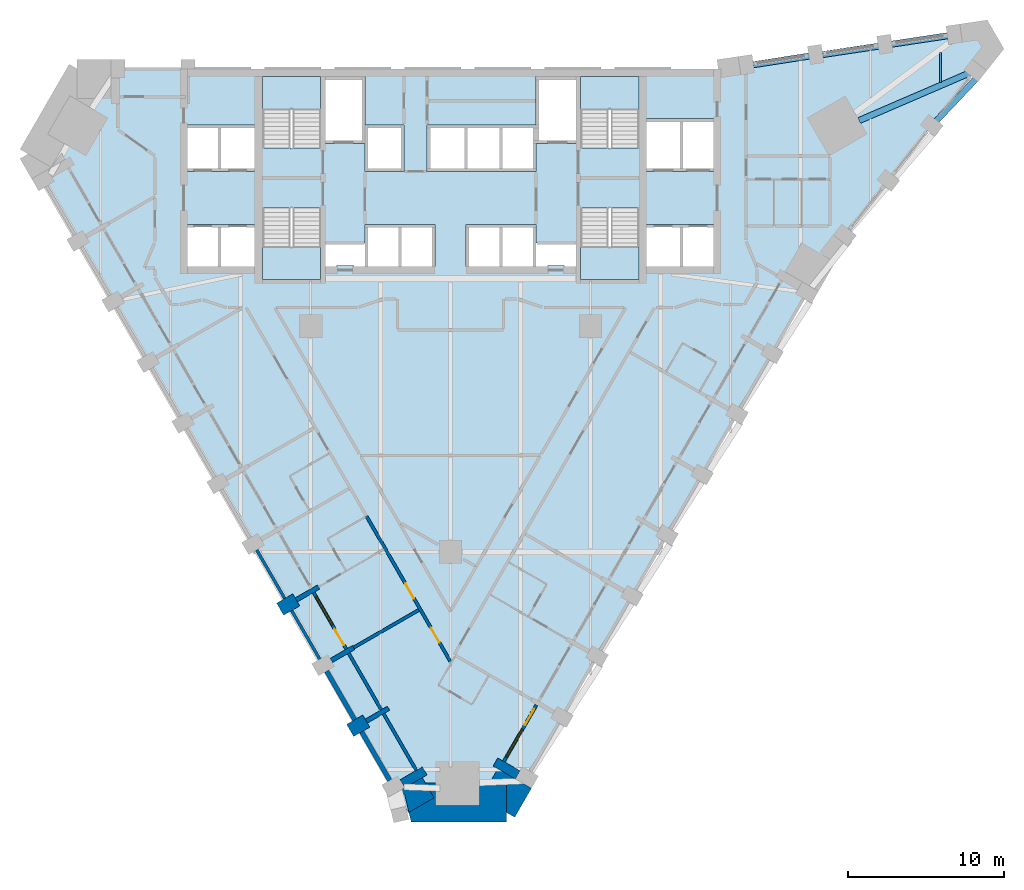
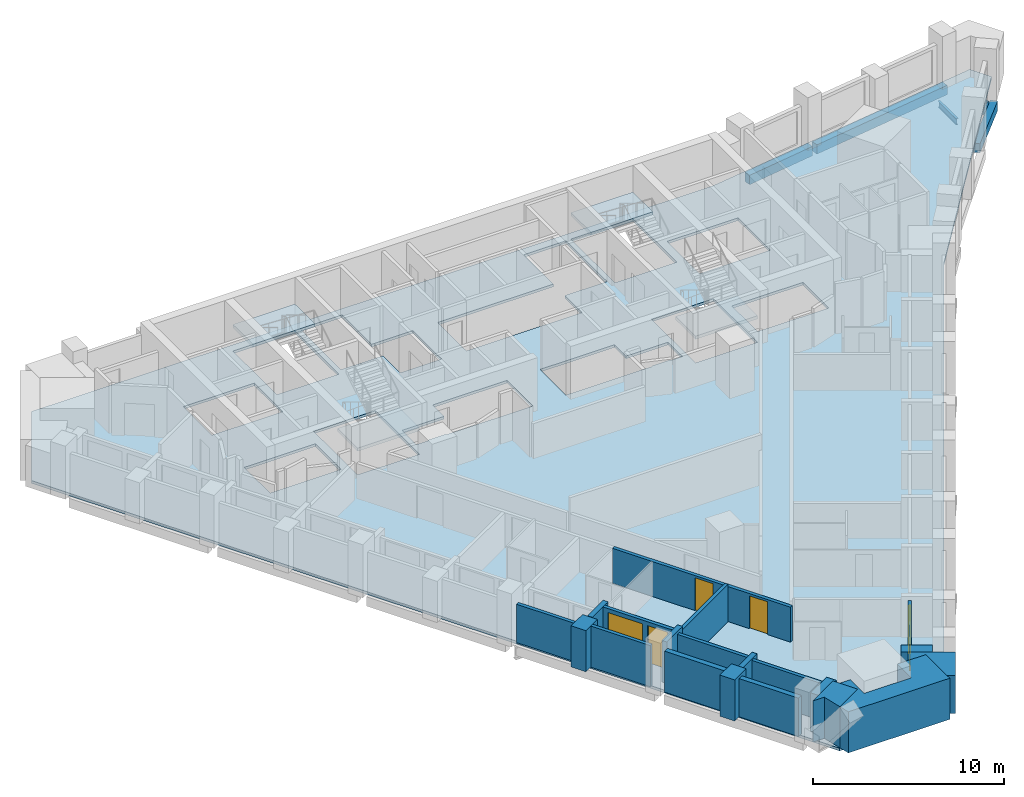
# One storey, part 2 of 11: 20 walls, 5 beams, 5 slabs, 4 doors, 2 windows, 6 openings, 4 elements without a shape of their own.
"""IFC4 building model written with IfcOpenShell, lengths in metres."""

from ifc_helpers import new_model, si_unit, direction, frame, frame_2d, origin, origin_2d, place, context, subcontext, project, spatial, polyline, rectangle, i_section, outline, extrude, material, layer, layer_set, material_profile, profile_set, type_object, element, fill, aggregate, save


model = new_model("IFC4")

# Units and contexts
model_context = context("Model", 3, precision=1e-05, world=origin(), true_north=direction((0.0, 1.0)))
body_context = subcontext(model_context, "Body", "Model", "MODEL_VIEW")
ifc_project = project(units=[si_unit("LENGTHUNIT", "METRE"), si_unit("AREAUNIT", "SQUARE_METRE"), si_unit("VOLUMEUNIT", "CUBIC_METRE"), si_unit("PLANEANGLEUNIT", "RADIAN"), si_unit("MASSUNIT", "GRAM", prefix="KILO")], contexts=[model_context])

# Site, building, storey
site_placement = place(None, origin())
site = spatial("IfcSite", under=ifc_project, at=site_placement, CompositionType="ELEMENT")
building_placement = place(site_placement, origin())
building = spatial("IfcBuilding", under=site, at=building_placement, Name="Calabash Gate Tower", CompositionType="ELEMENT")
storey_placement = place(building_placement, frame((0.0, 0.0, 129.199951171875)))
storey = spatial("IfcBuildingStorey", under=building, at=storey_placement, Name="L30", CompositionType="ELEMENT", Elevation=129.199951171875)

# Beams
ifc_material_1 = material(Name="Concrete C60/75", Category="concrete")
ifc_material_profile_1 = material_profile(ifc_material_1, rectangle(XDim=0.39990234375, YDim=0.60009765625, at=origin_2d()))
ifc_profile_set_1 = profile_set([ifc_material_profile_1], Name="Concrete C60/75")
beam_type_1 = type_object("IfcBeamType", Name="Edge beam RC 400x600 Concrete C60/75", PredefinedType="BEAM", material=ifc_profile_set_1)
beam_1_placement = place(storey_placement, frame((31.241943359375, 15.72412109375, -0.469970703125), z_axis=(0.685941332038, 0.727656848385, 0.0), x_axis=(-0.727656848385, 0.685941332038, 0.0)))
element("IfcBeam", 1, at=beam_1_placement, inside=storey, type_object=beam_type_1, Name="Edge beam L30 12", PredefinedType="BEAM", context=body_context, shape_type="SweptSolid", body=[
    extrude(rectangle(XDim=0.39990234375, YDim=0.60009765625, at=origin_2d()), origin(), (0.0, 0.0, 1.0), 4.026611328125),
])
beam_2_placement = place(storey_placement, frame((33.676025390625, 18.922119140625, -0.469970703125), z_axis=(-0.918385716092, -0.395686335977, 0.0), x_axis=(0.395686335977, -0.918385716092, 0.0)))
element("IfcBeam", 2, at=beam_2_placement, inside=storey, type_object=beam_type_1, Name="Edge beam L30 13", PredefinedType="BEAM", context=body_context, shape_type="SweptSolid", body=[
    extrude(rectangle(XDim=0.39990234375, YDim=0.60009765625, at=origin_2d()), origin(), (0.0, 0.0, 1.0), 8.0673828125),
])
beam_3_placement = place(storey_placement, frame((32.5439453125, 21.27392578125, -0.469970703125), z_axis=(-0.988841625555, -0.148970599683, 0.0), x_axis=(0.148970599683, -0.988841625555, 0.0)))
element("IfcBeam", 3, at=beam_3_placement, inside=storey, type_object=beam_type_1, Name="Edge beam L30 15", PredefinedType="BEAM", context=body_context, shape_type="SweptSolid", body=[
    extrude(rectangle(XDim=0.39990234375, YDim=0.60009765625, at=origin_2d()), origin(), (0.0, 0.0, 1.0), 8.7333984375),
])
beam_4_placement = place(storey_placement, frame((23.638916015625, 19.968017578125, -0.469970703125), z_axis=(-0.988243286104, -0.152889527011, 0.0), x_axis=(0.152889527011, -0.988243286104, 0.0)))
element("IfcBeam", 4, at=beam_4_placement, inside=storey, type_object=beam_type_1, Name="Edge beam L30 16", PredefinedType="BEAM", context=body_context, shape_type="SweptSolid", body=[
    extrude(rectangle(XDim=0.39990234375, YDim=0.60009765625, at=origin_2d()), origin(), (0.0, 0.0, 1.0), 4.231689453125),
])
ifc_material_2 = material(Name="Steel ASTM A992 Gr50", Category="steel")
ifc_material_profile_2 = material_profile(ifc_material_2, i_section(OverallWidth=0.1396484375, OverallDepth=0.398681640625, WebThickness=0.00634765625, FlangeThickness=0.0087890625, FilletRadius=0.01025390625, at=origin_2d()))
ifc_profile_set_2 = profile_set([ifc_material_profile_2], Name="Steel ASTM A992 Gr50")
beam_type_2 = type_object("IfcBeamType", Name="Floor beam W16x26 ASTM A992 Gr50", PredefinedType="BEAM", material=ifc_profile_set_2)
beam_5_placement = place(storey_placement, frame((31.5, 18.179931640625, -0.368896484375), z_axis=(0.0, 1.0, 0.0), x_axis=(-1.0, 0.0, 0.0)))
element("IfcBeam", 5, at=beam_5_placement, inside=storey, type_object=beam_type_2, Name="Floor beam L30 21", PredefinedType="BEAM", context=body_context, shape_type="SweptSolid", body=[
    extrude(i_section(OverallWidth=0.1396484375, OverallDepth=0.398681640625, WebThickness=0.00634765625, FlangeThickness=0.0087890625, FilletRadius=0.01025390625, at=origin_2d()), origin(), (0.0, 0.0, 1.0), 1.9130859375),
])

# Slab
ifc_material_3 = material(Name="Concrete C40/50", Category="concrete")
ifc_layer_1 = layer(ifc_material_3, 0.169921875)
ifc_layer_set_1 = layer_set([ifc_layer_1], Name="Composite floor slab 170 Concrete C40/50")
slab_type_1 = type_object("IfcSlabType", Name="Composite floor slab 170 Concrete C40/50", PredefinedType="FLOOR", material=ifc_layer_set_1)
slab_1_placement = place(storey_placement, frame((0.0, 0.0, -0.169921875)))
element("IfcSlab", 6, at=slab_1_placement, inside=storey, type_object=slab_type_1, Name="Floor slab L30", PredefinedType="FLOOR", context=body_context, shape_type="SweptSolid", body=[
    extrude(outline(polyline([(-27.162353515625, 13.581787109375), (-24.00390625, 19.052490234375), (17.2099609375, 19.052490234375), (34.192138671875, 21.54150390625), (34.856689453125, 20.390625), (24.2099609375, 6.92822265625), (3.60302734375, -28.76416015625), (-2.7138671875, -28.76416015625), (-27.162353515625, 13.581787109375)]), holes=[polyline([(-5.5, 9.052490234375), (-5.5, 7.8525390625), (-8.050048828125, 7.8525390625), (-8.050048828125, 6.3525390625), (-7.324951171875, 6.3525390625), (-7.324951171875, 6.402587890625), (-6.22509765625, 6.402587890625), (-6.22509765625, 6.3525390625), (-5.5, 6.3525390625), (-3.25, 6.3525390625), (-1.0, 6.3525390625), (-1.0, 9.052490234375), (-3.25, 9.052490234375), (-5.5, 9.052490234375)]), polyline([(5.5, 9.052490234375), (3.25, 9.052490234375), (1.0, 9.052490234375), (1.0, 6.3525390625), (3.25, 6.3525390625), (5.5, 6.3525390625), (6.22509765625, 6.3525390625), (6.22509765625, 6.402587890625), (7.324951171875, 6.402587890625), (7.324951171875, 6.3525390625), (8.050048828125, 6.3525390625), (8.050048828125, 7.8525390625), (5.5, 7.8525390625), (5.5, 9.052490234375)]), polyline([(-5.5, 14.252685546875), (-5.5, 12.45263671875), (-3.0, 12.45263671875), (-3.0, 15.45263671875), (-5.5, 15.45263671875), (-5.5, 18.552490234375), (-8.050048828125, 18.552490234375), (-8.050048828125, 14.252685546875), (-5.5, 14.252685546875)]), polyline([(8.050048828125, 18.552490234375), (5.5, 18.552490234375), (5.5, 15.45263671875), (3.25, 15.45263671875), (1.0, 15.45263671875), (-1.5, 15.45263671875), (-1.5, 12.45263671875), (1.0, 12.45263671875), (3.25, 12.45263671875), (5.5, 12.45263671875), (5.5, 14.252685546875), (8.050048828125, 14.252685546875), (8.050048828125, 18.552490234375)]), polyline([(-12.60009765625, 6.3525390625), (-12.60009765625, 9.052490234375), (-14.85009765625, 9.052490234375), (-16.89990234375, 9.052490234375), (-16.89990234375, 6.3525390625), (-14.85009765625, 6.3525390625), (-12.60009765625, 6.3525390625)]), polyline([(-14.85009765625, 12.45263671875), (-12.60009765625, 12.45263671875), (-12.60009765625, 15.45263671875), (-14.85009765625, 15.45263671875), (-16.89990234375, 15.45263671875), (-16.89990234375, 12.45263671875), (-14.85009765625, 12.45263671875)]), polyline([(14.85009765625, 6.3525390625), (16.89990234375, 6.3525390625), (16.89990234375, 9.052490234375), (14.85009765625, 9.052490234375), (12.60009765625, 9.052490234375), (12.60009765625, 6.3525390625), (14.85009765625, 6.3525390625)]), polyline([(14.85009765625, 12.45263671875), (16.89990234375, 12.45263671875), (16.89990234375, 15.8525390625), (14.85009765625, 15.8525390625), (12.60009765625, 15.8525390625), (12.60009765625, 12.45263671875), (14.85009765625, 12.45263671875)]), polyline([(-8.35009765625, 18.552490234375), (-12.10009765625, 18.552490234375), (-12.10009765625, 13.95263671875), (-8.35009765625, 13.95263671875), (-8.35009765625, 18.552490234375)]), polyline([(-12.10009765625, 10.1025390625), (-12.10009765625, 5.502685546875), (-8.35009765625, 5.502685546875), (-8.35009765625, 10.1025390625), (-12.10009765625, 10.1025390625)]), polyline([(8.35009765625, 13.95263671875), (12.10009765625, 13.95263671875), (12.10009765625, 18.552490234375), (8.35009765625, 18.552490234375), (8.35009765625, 13.95263671875)]), polyline([(12.10009765625, 5.502685546875), (12.10009765625, 10.1025390625), (8.35009765625, 10.1025390625), (8.35009765625, 5.502685546875), (12.10009765625, 5.502685546875)])]), origin(), (0.0, 0.0, 1.0), 0.169921875),
])

# Stair, slab
ifc_material_4 = material(Name="Concrete C40/50", Category="concrete")
stair_type = type_object("IfcStairType", Name="Exit stair 20 risers of 170 mm", PredefinedType="HALF_TURN_STAIR", material=ifc_material_4)
stair_1_placement = place(storey_placement, origin())
stair_1 = element("IfcStair", 7, at=stair_1_placement, inside=storey, type_object=stair_type, Name="L30 Exit stair ST1", PredefinedType="HALF_TURN_STAIR")
ifc_material_5 = material(Name="Concrete C40/50", Category="concrete")
ifc_layer_2 = layer(ifc_material_5, 0.199951171875)
ifc_layer_set_2 = layer_set([ifc_layer_2], Name="Stair landing SL200")
slab_type_2 = type_object("IfcSlabType", Name="Stair landing SL200", PredefinedType="LANDING", material=ifc_layer_set_2)
slab_2_placement = place(storey_placement, frame((0.0, 0.0, 1.5)))
slab_2 = element("IfcSlab", 8, at=slab_2_placement, type_object=slab_type_2, Name="ST1 landing 1", PredefinedType="LANDING", context=body_context, shape_type="SweptSolid", body=[
    extrude(outline(polyline([(-8.35009765625, 16.463623046875), (-8.35009765625, 18.552490234375), (-12.10009765625, 18.552490234375), (-12.10009765625, 16.463623046875), (-8.35009765625, 16.463623046875)])), origin(), (0.0, 0.0, 1.0), 0.199951171875),
])
aggregate(stair_1, [slab_2])

stair_2_placement = place(storey_placement, origin())
stair_2 = element("IfcStair", 9, at=stair_2_placement, inside=storey, type_object=stair_type, Name="L30 Exit stair ST2", PredefinedType="HALF_TURN_STAIR")
slab_3_placement = place(storey_placement, frame((0.0, 0.0, 1.5)))
slab_3 = element("IfcSlab", 10, at=slab_3_placement, type_object=slab_type_2, Name="ST2 landing 1", PredefinedType="LANDING", context=body_context, shape_type="SweptSolid", body=[
    extrude(outline(polyline([(-12.10009765625, 7.591552734375), (-12.10009765625, 5.502685546875), (-8.35009765625, 5.502685546875), (-8.35009765625, 7.591552734375), (-12.10009765625, 7.591552734375)])), origin(), (0.0, 0.0, 1.0), 0.199951171875),
])
aggregate(stair_2, [slab_3])

stair_3_placement = place(storey_placement, origin())
stair_3 = element("IfcStair", 11, at=stair_3_placement, inside=storey, type_object=stair_type, Name="L30 Exit stair ST3", PredefinedType="HALF_TURN_STAIR")
slab_4_placement = place(storey_placement, frame((0.0, 0.0, 1.5)))
slab_4 = element("IfcSlab", 12, at=slab_4_placement, type_object=slab_type_2, Name="ST3 landing 1", PredefinedType="LANDING", context=body_context, shape_type="SweptSolid", body=[
    extrude(outline(polyline([(12.10009765625, 16.463623046875), (12.10009765625, 18.552490234375), (8.35009765625, 18.552490234375), (8.35009765625, 16.463623046875), (12.10009765625, 16.463623046875)])), origin(), (0.0, 0.0, 1.0), 0.199951171875),
])
aggregate(stair_3, [slab_4])

stair_4_placement = place(storey_placement, origin())
stair_4 = element("IfcStair", 13, at=stair_4_placement, inside=storey, type_object=stair_type, Name="L30 Exit stair ST4", PredefinedType="HALF_TURN_STAIR")
slab_5_placement = place(storey_placement, frame((0.0, 0.0, 1.5)))
slab_5 = element("IfcSlab", 14, at=slab_5_placement, type_object=slab_type_2, Name="ST4 landing 1", PredefinedType="LANDING", context=body_context, shape_type="SweptSolid", body=[
    extrude(outline(polyline([(8.35009765625, 7.591552734375), (8.35009765625, 5.502685546875), (12.10009765625, 5.502685546875), (12.10009765625, 7.591552734375), (8.35009765625, 7.591552734375)])), origin(), (0.0, 0.0, 1.0), 0.199951171875),
])
aggregate(stair_4, [slab_5])

# Walls
ifc_material_6 = material(Name="Terracotta brick masonry, exposed face", Category="masonry")
ifc_layer_3 = layer(ifc_material_6, 2.5)
ifc_layer_set_3 = layer_set([ifc_layer_3], Name="Brick corner mass wall 2500")
wall_type_1 = type_object("IfcWallType", Name="Brick corner mass wall 2500", PredefinedType="SOLIDWALL", material=ifc_layer_set_3)
wall_1_placement = place(storey_placement, origin())
element("IfcWall", 15, at=wall_1_placement, inside=storey, type_object=wall_type_1, Name="Brick corner pier S08 1a", PredefinedType="SOLIDWALL", context=body_context, shape_type="SweptSolid", body=[
    extrude(outline(polyline([(-1.068603515625, -27.814208984375), (-1.817626953125, -26.516357421875), (-2.943603515625, -27.16650390625), (-2.943359375, -27.166748046875), (-3.65234375, -27.575927734375), (-2.9541015625, -27.575927734375), (-2.6796875, -28.744384765625), (-1.068603515625, -27.814208984375)])), origin(), (0.0, 0.0, 1.0), 2.630126953125),
])
wall_2_placement = place(storey_placement, origin())
element("IfcWall", 16, at=wall_2_placement, inside=storey, type_object=wall_type_1, Name="Brick corner pier S08 1b", PredefinedType="SOLIDWALL", context=body_context, shape_type="SweptSolid", body=[
    extrude(outline(polyline([(-0.97802734375, -26.864013671875), (-1.616943359375, -26.864013671875), (-1.068603515625, -27.814208984375), (-2.6796875, -28.744384765625), (-2.5341796875, -29.364013671875), (3.60302734375, -29.364013671875), (3.60302734375, -26.864013671875), (1.8720703125, -26.864013671875), (1.8720703125, -28.318115234375), (-0.97802734375, -28.318115234375), (-0.97802734375, -26.864013671875)])), origin(), (0.0, 0.0, 1.0), 2.630126953125),
])
wall_3_placement = place(storey_placement, origin())
element("IfcWall", 17, at=wall_3_placement, inside=storey, type_object=wall_type_1, Name="Brick corner pier S08 1c", PredefinedType="SOLIDWALL", context=body_context, shape_type="SweptSolid", body=[
    extrude(outline(polyline([(5.201171875, -27.196044921875), (3.0361328125, -25.946044921875), (2.506103515625, -26.864013671875), (3.60302734375, -26.864013671875), (3.60302734375, -28.76416015625), (4.122802734375, -29.064208984375), (5.201171875, -27.196044921875)])), origin(), (0.0, 0.0, 1.0), 2.4501953125),
])
ifc_material_7 = material(Name="Terracotta brick masonry, exposed face", Category="masonry")
ifc_layer_4 = layer(ifc_material_7, 1.199951171875)
ifc_layer_set_4 = layer_set([ifc_layer_4], Name="Brick end wall 1200")
wall_type_2 = type_object("IfcWallType", Name="Brick end wall 1200", PredefinedType="SOLIDWALL", material=ifc_layer_set_4)
for number, where, z_axis, x_axis, name in (
    (18, (-10.957763671875, -15.685302734375, 0.0), (0.0, 0.0, 1.0), (0.866043267704, 0.499969057507, 0.0), "Brick pier S08 SW0.7"),
    (19, (-6.457763671875, -23.4794921875, 0.0), (0.0, 0.0, 1.0), (0.866043267704, 0.499969057507, 0.0), "Brick pier S08 SW0.9"),
):
    element("IfcWall", number, at=place(storey_placement, frame(where, z_axis=z_axis, x_axis=x_axis)), inside=storey, type_object=wall_type_2, Name=name, PredefinedType="SOLIDWALL", context=body_context, shape_type="SweptSolid", body=[
        extrude(rectangle(XDim=1.19970703125, YDim=0.89990234375, at=frame_2d((0.599853515625, 0.0))), origin(), (0.0, 0.0, 1.0), 2.630126953125),
    ])
ifc_material_8 = material(Name="Terracotta brick masonry, exposed face", Category="masonry")
ifc_layer_5 = layer(ifc_material_8, 0.300048828125)
ifc_layer_set_5 = layer_set([ifc_layer_5], Name="Brick infill panel wall 300")
wall_type_3 = type_object("IfcWallType", Name="Brick infill panel wall 300", PredefinedType="SOLIDWALL", material=ifc_layer_set_5)
wall_4_placement = place(storey_placement, frame((-7.963134765625, -19.672119140625, 0.0), z_axis=(0.0, 0.0, 1.0), x_axis=(0.500012057535, -0.866018442252, 0.0)))
element("IfcWall", 20, at=wall_4_placement, inside=storey, type_object=wall_type_3, Name="Brick panel S08 SW0.9", PredefinedType="SOLIDWALL", context=body_context, shape_type="SweptSolid", body=[
    extrude(rectangle(XDim=3.60009765625, YDim=0.300048828125, at=frame_2d((1.800048828125, 0.0))), origin(), (0.0, 0.0, 1.0), 2.630126953125),
])
wall_5_placement = place(storey_placement, frame((-5.713134765625, -23.5693359375, 0.0), z_axis=(0.0, 0.0, 1.0), x_axis=(0.500012057535, -0.866018442252, 0.0)))
element("IfcWall", 21, at=wall_5_placement, inside=storey, type_object=wall_type_3, Name="Brick panel S08 SW0.10", PredefinedType="SOLIDWALL", context=body_context, shape_type="SweptSolid", body=[
    extrude(rectangle(XDim=3.60009765625, YDim=0.300048828125, at=frame_2d((1.800048828125, 0.0))), origin(), (0.0, 0.0, 1.0), 2.4501953125),
])
ifc_material_9 = material(Name="Terracotta brick masonry, exposed face", Category="masonry")
ifc_layer_6 = layer(ifc_material_9, 0.300048828125)
ifc_layer_set_6 = layer_set([ifc_layer_6], Name="Brick loggia cheek wall 300")
wall_type_4 = type_object("IfcWallType", Name="Brick loggia cheek wall 300", PredefinedType="SOLIDWALL", material=ifc_layer_set_6)
wall_6_placement = place(storey_placement, frame((-9.918701171875, -15.08544921875, 0.0), z_axis=(0.0, 0.0, 1.0), x_axis=(0.866040211805, 0.499974350878, 0.0)))
element("IfcWall", 22, at=wall_6_placement, inside=storey, type_object=wall_type_4, Name="Loggia cheek S08 SW0.7", PredefinedType="SOLIDWALL", context=body_context, shape_type="SweptSolid", body=[
    extrude(rectangle(XDim=1.64990234375, YDim=0.300048828125, at=frame_2d((0.824951171875, 0.0))), origin(), (0.0, 0.0, 1.0), 2.650146484375),
])
wall_7_placement = place(storey_placement, frame((-6.23974609375, -18.157470703125, 0.0), z_axis=(0.0, 0.0, 1.0), x_axis=(-0.866030301974, -0.499991515992, 0.0)))
element("IfcWall", 23, at=wall_7_placement, inside=storey, type_object=wall_type_4, Name="Loggia cheek S08 SW0.8", PredefinedType="SOLIDWALL", context=body_context, shape_type="SweptSolid", body=[
    extrude(rectangle(XDim=1.6494140625, YDim=0.300048828125, at=frame_2d((0.82470703125, 0.0))), origin(), (0.0, 0.0, 1.0), 2.650146484375),
])
wall_8_placement = place(storey_placement, frame((-3.98974609375, -22.0546875, 0.0), z_axis=(0.0, 0.0, 1.0), x_axis=(-0.866040211805, -0.499974350878, 0.0)))
element("IfcWall", 24, at=wall_8_placement, inside=storey, type_object=wall_type_4, Name="Loggia cheek S08 SW0.9", PredefinedType="SOLIDWALL", context=body_context, shape_type="SweptSolid", body=[
    extrude(rectangle(XDim=1.64990234375, YDim=0.300048828125, at=frame_2d((0.824951171875, 0.0))), origin(), (0.0, 0.0, 1.0), 2.4736328125),
])
wall_9_placement = place(storey_placement, frame((-3.093505859375, -26.906494140625, 0.0), z_axis=(0.0, 0.0, 1.0), x_axis=(0.866040211805, 0.499974350878, 0.0)))
element("IfcWall", 25, at=wall_9_placement, inside=storey, type_object=wall_type_4, Name="Loggia cheek S08 SW0.10", PredefinedType="SOLIDWALL", context=body_context, shape_type="SweptSolid", body=[
    extrude(rectangle(XDim=1.64990234375, YDim=0.60009765625, at=frame_2d((0.824951171875, 0.0))), origin(), (0.0, 0.0, 1.0), 2.4501953125),
])
wall_10_placement = place(storey_placement, frame((4.31201171875, -26.33642578125, 0.0), z_axis=(0.0, 0.0, 1.0), x_axis=(-0.865976140824, 0.500085316245, 0.0)))
element("IfcWall", 26, at=wall_10_placement, inside=storey, type_object=wall_type_4, Name="Loggia cheek S08 SE2.0", PredefinedType="SOLIDWALL", context=body_context, shape_type="SweptSolid", body=[
    extrude(rectangle(XDim=1.650146484375, YDim=0.60009765625, at=frame_2d((0.8251953125, 0.0))), origin(), (0.0, 0.0, 1.0), 2.4501953125),
])

# Wall, openings, doors
ifc_material_10 = material(Name="Gypsum board on steel studs, mineral wool", Category="steel")
ifc_layer_7 = layer(ifc_material_10, 0.199951171875)
ifc_layer_set_7 = layer_set([ifc_layer_7], Name="Partition 200 gypsum board EI 60")
wall_type_5 = type_object("IfcWallType", Name="Partition 200 gypsum board EI 60", PredefinedType="PARTITIONING", material=ifc_layer_set_7)
wall_11_placement = place(storey_placement, frame((-5.404541015625, -9.7080078125, 0.0), z_axis=(0.0, 0.0, 1.0), x_axis=(0.500010215181, -0.866019505967, 0.0)))
wall_11 = element("IfcWall", 27, at=wall_11_placement, inside=storey, type_object=wall_type_5, Name="Partition", PredefinedType="PARTITIONING", context=body_context, shape_type="SweptSolid", body=[
    extrude(rectangle(XDim=10.771240234375, YDim=0.199951171875, at=frame_2d((5.3857421875, 0.0))), origin(), (0.0, 0.0, 1.0), 2.24169921875),
])
opening_1_placement = place(wall_11_placement, frame((5.0, 0.0, 0.0)))
opening_1 = element("IfcOpeningElement", 28, at=opening_1_placement, cuts=wall_11, Name="Opening 28-30-004", PredefinedType="OPENING", context=body_context, shape_type="SweptSolid", body=[
    extrude(rectangle(XDim=1.10009765625, YDim=2.10009765625, at=frame_2d((0.550048828125, 1.050048828125))), frame((0.0, 0.10986328125, 0.0), z_axis=(0.0, -1.0, 0.0), x_axis=(1.0, 0.0, 0.0)), (0.0, 0.0, 1.0), 0.219970703125),
])
opening_2_placement = place(wall_11_placement, frame((8.28564453125, 0.0, 0.0)))
opening_2 = element("IfcOpeningElement", 29, at=opening_2_placement, cuts=wall_11, Name="Opening 28-30-024", PredefinedType="OPENING", context=body_context, shape_type="SweptSolid", body=[
    extrude(rectangle(XDim=1.10009765625, YDim=2.10009765625, at=frame_2d((0.550048828125, 1.050048828125))), frame((0.0, 0.10986328125, 0.0), z_axis=(0.0, -1.0, 0.0), x_axis=(1.0, 0.0, 0.0)), (0.0, 0.0, 1.0), 0.219970703125),
])
ifc_material_11 = material(Name="Steel fire door set with fire-resisting glazing", Category="steel")
door_type_1 = type_object("IfcDoorType", Name="GD3 Suite entrance door 1100x2100", OperationType="NOTDEFINED", PredefinedType="DOOR", material=ifc_material_11)
door_1_placement = place(opening_1_placement, origin())
door_1 = element("IfcDoor", 30, at=door_1_placement, inside=storey, type_object=door_type_1, Name="Suite entrance door", OperationType="SINGLE_SWING_LEFT", OverallHeight=2.10009765625, OverallWidth=1.10009765625, PredefinedType="DOOR", context=body_context, shape_type="SweptSolid", body=[
    extrude(rectangle(XDim=1.10009765625, YDim=2.10009765625, at=frame_2d((0.550048828125, 1.050048828125))), frame((0.0, 0.02490234375, 0.0), z_axis=(0.0, -1.0, 0.0), x_axis=(1.0, 0.0, 0.0)), (0.0, 0.0, 1.0), 0.050048828125),
])
fill(opening_1, door_1)
door_2_placement = place(opening_2_placement, origin())
door_2 = element("IfcDoor", 31, at=door_2_placement, inside=storey, type_object=door_type_1, Name="Suite entrance door", OperationType="SINGLE_SWING_LEFT", OverallHeight=2.10009765625, OverallWidth=1.10009765625, PredefinedType="DOOR", context=body_context, shape_type="SweptSolid", body=[
    extrude(rectangle(XDim=1.10009765625, YDim=2.10009765625, at=frame_2d((0.550048828125, 1.050048828125))), frame((0.0, 0.02490234375, 0.0), z_axis=(0.0, -1.0, 0.0), x_axis=(1.0, 0.0, 0.0)), (0.0, 0.0, 1.0), 0.050048828125),
])
fill(opening_2, door_2)

# Walls
wall_12_placement = place(storey_placement, frame((-6.239501953125, -18.157958984375, 0.0), z_axis=(0.0, 0.0, 1.0), x_axis=(0.866175528751, 0.499739885733, 0.0)))
element("IfcWall", 32, at=wall_12_placement, inside=storey, type_object=wall_type_5, Name="Partition", PredefinedType="PARTITIONING", context=body_context, shape_type="SweptSolid", body=[
    extrude(rectangle(XDim=4.849609375, YDim=0.199951171875, at=frame_2d((2.4248046875, 0.0))), origin(), (0.0, 0.0, 1.0), 2.384033203125),
])
ifc_material_12 = material(Name="Terracotta brick masonry, perforated", Category="masonry")
ifc_layer_8 = layer(ifc_material_12, 0.199951171875)
ifc_layer_set_8 = layer_set([ifc_layer_8], Name="Terracotta jaali screen B")
wall_type_6 = type_object("IfcWallType", Name="Terracotta jaali screen B", PredefinedType="SOLIDWALL", material=ifc_layer_set_8)
wall_13_placement = place(storey_placement, frame((-12.463134765625, -11.8779296875, 0.0), z_axis=(0.0, 0.0, 1.0), x_axis=(0.500012057535, -0.866018442252, 0.0)))
element("IfcWall", 33, at=wall_13_placement, inside=storey, type_object=wall_type_6, Name="SCREEN B S08 SW0.7", PredefinedType="SOLIDWALL", context=body_context, shape_type="SweptSolid", body=[
    extrude(rectangle(XDim=3.60009765625, YDim=0.199951171875, at=frame_2d((1.800048828125, 0.0))), origin(), (0.0, 0.0, 1.0), 2.4501953125),
])
wall_14_placement = place(storey_placement, frame((-10.213134765625, -15.775146484375, 0.0), z_axis=(0.0, 0.0, 1.0), x_axis=(0.500012057535, -0.866018442252, 0.0)))
element("IfcWall", 34, at=wall_14_placement, inside=storey, type_object=wall_type_6, Name="SCREEN B S08 SW0.8", PredefinedType="SOLIDWALL", context=body_context, shape_type="SweptSolid", body=[
    extrude(rectangle(XDim=3.60009765625, YDim=0.199951171875, at=frame_2d((1.800048828125, 0.0))), origin(), (0.0, 0.0, 1.0), 2.630126953125),
])

# Wall, openings, door, window
ifc_material_13 = material(Name="Aluminium framed window wall with insulated spandrel", Category="aluminium")
ifc_layer_9 = layer(ifc_material_13, 0.199951171875)
ifc_layer_set_9 = layer_set([ifc_layer_9], Name="Window wall 200")
wall_type_7 = type_object("IfcWallType", Name="Window wall 200", PredefinedType="ELEMENTEDWALL", material=ifc_layer_set_9)
wall_15_placement = place(storey_placement, frame((-8.804443359375, -14.615234375, 0.0), z_axis=(0.0, 0.0, 1.0), x_axis=(0.500002543286, -0.866023935413, 0.0)))
wall_15 = element("IfcWall", 35, at=wall_15_placement, inside=storey, type_object=wall_type_7, Name="Window wall S08 SW0.8", PredefinedType="ELEMENTEDWALL", context=body_context, shape_type="SweptSolid", body=[
    extrude(rectangle(XDim=4.2001953125, YDim=0.199951171875, at=frame_2d((2.10009765625, 0.0))), origin(), (0.0, 0.0, 1.0), 2.650146484375),
])
opening_3_placement = place(wall_15_placement, frame((0.300048828125, 0.0, 0.60009765625)))
opening_3 = element("IfcOpeningElement", 36, at=opening_3_placement, cuts=wall_15, Name="Opening HW1", PredefinedType="OPENING", context=body_context, shape_type="SweptSolid", body=[
    extrude(rectangle(XDim=2.10009765625, YDim=1.800048828125, at=frame_2d((1.050048828125, 0.89990234375))), frame((0.0, 0.10986328125, 0.0), z_axis=(0.0, -1.0, 0.0), x_axis=(1.0, 0.0, 0.0)), (0.0, 0.0, 1.0), 0.219970703125),
])
opening_4_placement = place(wall_15_placement, frame((2.699951171875, 0.0, 0.0)))
opening_4 = element("IfcOpeningElement", 37, at=opening_4_placement, cuts=wall_15, Name="Opening H8-033", PredefinedType="OPENING", context=body_context, shape_type="SweptSolid", body=[
    extrude(rectangle(XDim=1.199951171875, YDim=2.39990234375, at=frame_2d((0.60009765625, 1.199951171875))), frame((0.0, 0.10986328125, 0.0), z_axis=(0.0, -1.0, 0.0), x_axis=(1.0, 0.0, 0.0)), (0.0, 0.0, 1.0), 0.219970703125),
])
ifc_material_14 = material(Name="Anodised aluminium frame, bronze finish, impact-rated laminated clear glazing", Category="aluminium")
door_type_2 = type_object("IfcDoorType", Name="Loggia door DH1 1200x2400", OperationType="SLIDING_TO_LEFT", PredefinedType="DOOR", material=ifc_material_14)
door_3_placement = place(opening_4_placement, origin())
door_3 = element("IfcDoor", 38, at=door_3_placement, inside=storey, type_object=door_type_2, Name="Loggia door S08 SW0.8", OperationType="SINGLE_SWING_LEFT", OverallHeight=2.39990234375, OverallWidth=1.199951171875, PredefinedType="DOOR", context=body_context, shape_type="SweptSolid", body=[
    extrude(rectangle(XDim=1.199951171875, YDim=2.39990234375, at=frame_2d((0.60009765625, 1.199951171875))), frame((0.0, 0.02490234375, 0.0), z_axis=(0.0, -1.0, 0.0), x_axis=(1.0, 0.0, 0.0)), (0.0, 0.0, 1.0), 0.050048828125),
])
fill(opening_4, door_3)
ifc_material_15 = material(Name="Anodised aluminium frame, bronze finish, impact-rated laminated clear glazing", Category="aluminium")
window_type_1 = type_object("IfcWindowType", Name="Window HW1 2100x1800", PartitioningType="DOUBLE_PANEL_VERTICAL", PredefinedType="WINDOW", material=ifc_material_15)
window_1_placement = place(opening_3_placement, origin())
window_1 = element("IfcWindow", 39, at=window_1_placement, inside=storey, type_object=window_type_1, Name="Window HW1 S08 SW0.8", OverallHeight=1.800048828125, OverallWidth=2.10009765625, PartitioningType="SINGLE_PANEL", PredefinedType="WINDOW", context=body_context, shape_type="SweptSolid", body=[
    extrude(rectangle(XDim=2.10009765625, YDim=1.800048828125, at=frame_2d((1.050048828125, 0.89990234375))), frame((0.0, 0.030029296875, 0.0), z_axis=(0.0, -1.0, 0.0), x_axis=(1.0, 0.0, 0.0)), (0.0, 0.0, 1.0), 0.06005859375),
])
fill(opening_3, window_1)

# Walls
wall_16_placement = place(storey_placement, frame((-6.554443359375, -18.512451171875, 0.0), z_axis=(0.0, 0.0, 1.0), x_axis=(0.500027713859, -0.866009402589, 0.0)))
element("IfcWall", 40, at=wall_16_placement, inside=storey, type_object=wall_type_7, Name="Window wall S08 SW0.9", PredefinedType="ELEMENTEDWALL", context=body_context, shape_type="SweptSolid", body=[
    extrude(rectangle(XDim=4.199951171875, YDim=0.199951171875, at=frame_2d((2.10009765625, 0.0))), origin(), (0.0, 0.0, 1.0), 2.4736328125),
])
wall_17_placement = place(storey_placement, frame((-4.304443359375, -22.409423828125, 0.0), z_axis=(0.0, 0.0, 1.0), x_axis=(0.500002543286, -0.866023935413, 0.0)))
element("IfcWall", 41, at=wall_17_placement, inside=storey, type_object=wall_type_7, Name="Window wall S08 SW0.10", PredefinedType="ELEMENTEDWALL", context=body_context, shape_type="SweptSolid", body=[
    extrude(rectangle(XDim=4.2001953125, YDim=0.199951171875, at=frame_2d((2.10009765625, 0.0))), origin(), (0.0, 0.0, 1.0), 2.384033203125),
])

# Wall, openings, door, window
wall_18_placement = place(storey_placement, frame((3.4228515625, -25.4765625, 0.0), z_axis=(0.0, 0.0, 1.0), x_axis=(0.499958946799, 0.866049104564, 0.0)))
wall_18 = element("IfcWall", 42, at=wall_18_placement, inside=storey, type_object=wall_type_7, Name="Window wall S08 SE2.1", PredefinedType="ELEMENTEDWALL", context=body_context, shape_type="SweptSolid", body=[
    extrude(rectangle(XDim=4.199951171875, YDim=0.199951171875, at=frame_2d((2.10009765625, 0.0))), origin(), (0.0, 0.0, 1.0), 2.384033203125),
])
opening_5_placement = place(wall_18_placement, frame((0.300048828125, 0.0, 0.60009765625)))
opening_5 = element("IfcOpeningElement", 43, at=opening_5_placement, cuts=wall_18, Name="Opening HW1L-1680", PredefinedType="OPENING", context=body_context, shape_type="SweptSolid", body=[
    extrude(rectangle(XDim=2.10009765625, YDim=1.679931640625, at=frame_2d((1.050048828125, 0.83984375))), frame((0.0, 0.10986328125, 0.0), z_axis=(0.0, -1.0, 0.0), x_axis=(1.0, 0.0, 0.0)), (0.0, 0.0, 1.0), 0.219970703125),
])
opening_6_placement = place(wall_18_placement, frame((2.699951171875, 0.0, 0.0)))
opening_6 = element("IfcOpeningElement", 44, at=opening_6_placement, cuts=wall_18, Name="Opening H8-018", PredefinedType="OPENING", context=body_context, shape_type="SweptSolid", body=[
    extrude(rectangle(XDim=1.199951171875, YDim=2.280029296875, at=frame_2d((0.60009765625, 1.14013671875))), frame((0.0, 0.10986328125, 0.0), z_axis=(0.0, -1.0, 0.0), x_axis=(1.0, 0.0, 0.0)), (0.0, 0.0, 1.0), 0.219970703125),
])
ifc_material_16 = material(Name="Anodised aluminium frame, bronze finish, impact-rated laminated clear glazing", Category="aluminium")
door_type_3 = type_object("IfcDoorType", Name="Loggia door DH1L-2280 1200x2280", OperationType="SLIDING_TO_LEFT", PredefinedType="DOOR", material=ifc_material_16)
door_4_placement = place(opening_6_placement, origin())
door_4 = element("IfcDoor", 45, at=door_4_placement, inside=storey, type_object=door_type_3, Name="Loggia door S08 SE2.1", OperationType="SINGLE_SWING_LEFT", OverallHeight=2.280029296875, OverallWidth=1.199951171875, PredefinedType="DOOR", context=body_context, shape_type="SweptSolid", body=[
    extrude(rectangle(XDim=1.199951171875, YDim=2.280029296875, at=frame_2d((0.60009765625, 1.14013671875))), frame((0.0, 0.02490234375, 0.0), z_axis=(0.0, -1.0, 0.0), x_axis=(1.0, 0.0, 0.0)), (0.0, 0.0, 1.0), 0.050048828125),
])
fill(opening_6, door_4)
ifc_material_17 = material(Name="Anodised aluminium frame, bronze finish, impact-rated laminated clear glazing", Category="aluminium")
window_type_2 = type_object("IfcWindowType", Name="Window HW1L 2100x1680", PartitioningType="DOUBLE_PANEL_VERTICAL", PredefinedType="WINDOW", material=ifc_material_17)
window_2_placement = place(opening_5_placement, origin())
window_2 = element("IfcWindow", 46, at=window_2_placement, inside=storey, type_object=window_type_2, Name="Window HW1 S08 SE2.1", OverallHeight=1.679931640625, OverallWidth=2.10009765625, PartitioningType="SINGLE_PANEL", PredefinedType="WINDOW", context=body_context, shape_type="SweptSolid", body=[
    extrude(rectangle(XDim=2.10009765625, YDim=1.679931640625, at=frame_2d((1.050048828125, 0.83984375))), frame((0.0, 0.030029296875, 0.0), z_axis=(0.0, -1.0, 0.0), x_axis=(1.0, 0.0, 0.0)), (0.0, 0.0, 1.0), 0.06005859375),
])
fill(opening_5, window_2)

save(model, "model.ifc")
